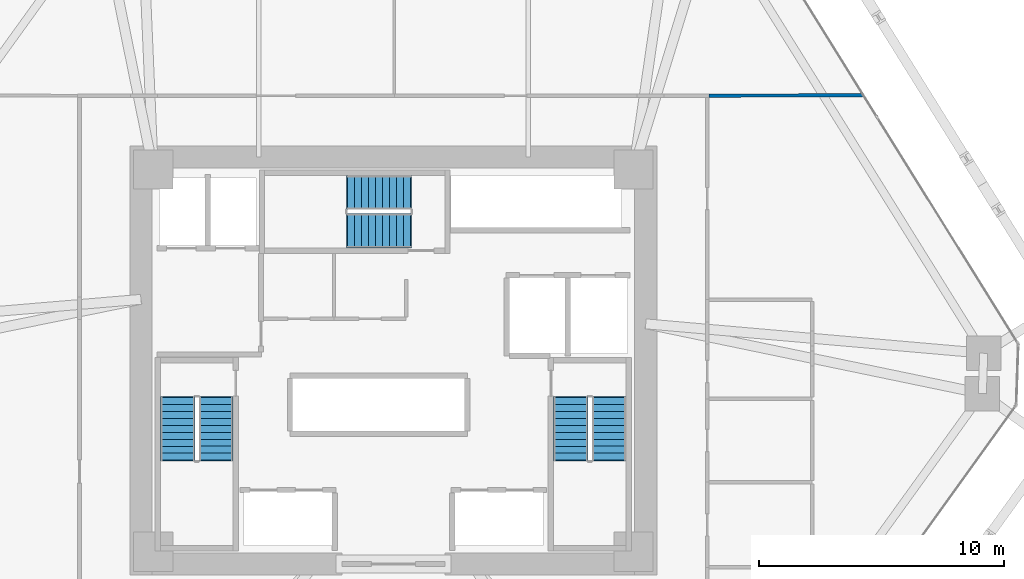
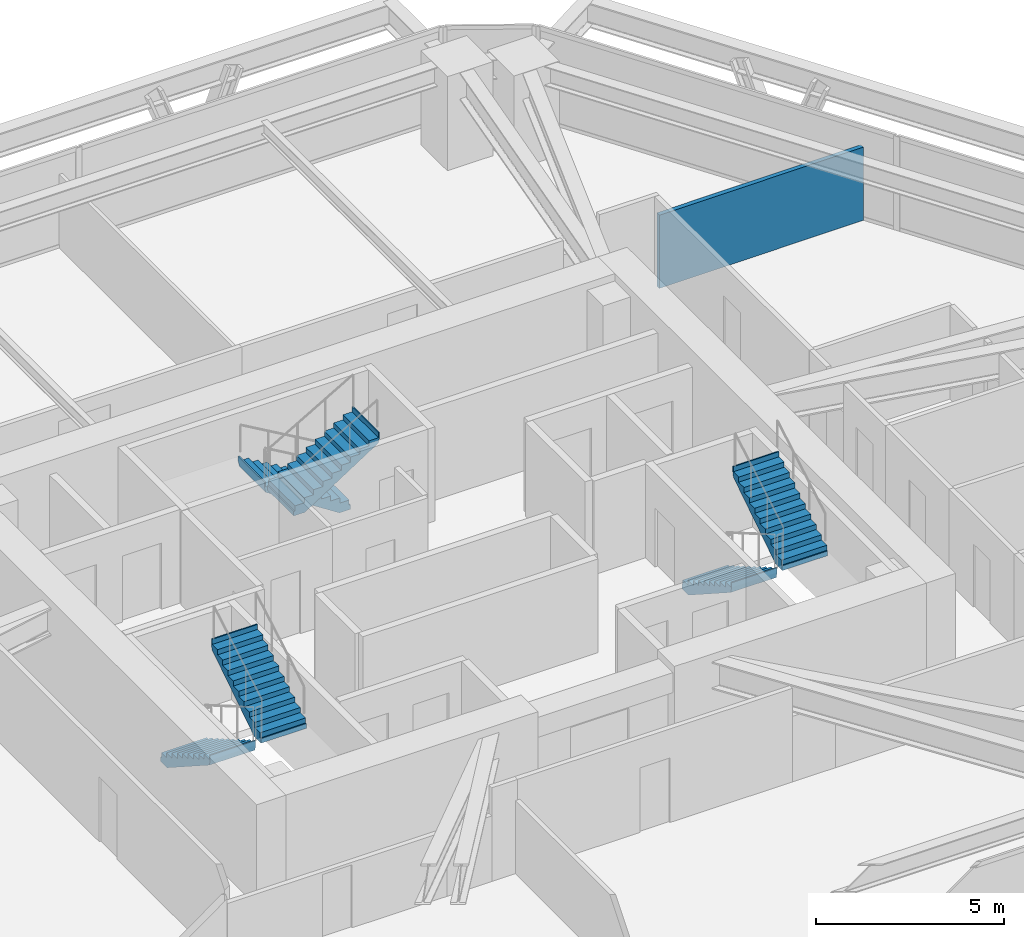
# One storey, part 13 of 14: 6 stair flights, 1 wall, 3 elements without a shape of their own.
"""IFC4 building model written with IfcOpenShell, lengths in metres."""

import ifcopenshell
import ifcopenshell.guid

model = None  # the IFC model being written
_history = None  # IfcOwnerHistory: only IFC2X3 demands one
_inside = {}  # id of a spatial element -> (the spatial element, [elements in it])
_under = {}  # id of a project, library or spatial element -> (it, [spatial elements below it])
_declared = {}  # id of a project -> (the project, [libraries it declares])
_typed = {}  # id of a type object -> (the type object, [elements of that type])
_made_of = {}  # id of a material, layer set ... -> (it, [elements and type objects made of it])


def new_model(schema):
    """Start an empty IFC model of exactly this schema.

    Asked for "IFC4X3", IfcOpenShell would pick the latest addendum, in which some entities
    have other attributes; the version numbers below select the first issue.
    IFC2X3 requires an IfcOwnerHistory on every rooted entity: one is made here for all.
    """
    global model, _history
    if schema == "IFC4X3":
        model = ifcopenshell.file(schema_version=(4, 3, 0, 0))
    else:
        model = ifcopenshell.file(schema=schema)
    _inside.clear()
    _under.clear()
    _declared.clear()
    _typed.clear()
    _made_of.clear()
    _history = None
    if model.schema == "IFC2X3":
        org = make("IfcOrganization", Name="unknown")
        user = make(
            "IfcPersonAndOrganization",
            ThePerson=make("IfcPerson", FamilyName="unknown"),
            TheOrganization=org,
        )
        app = make(
            "IfcApplication",
            ApplicationDeveloper=org,
            Version="unknown",
            ApplicationFullName="unknown",
            ApplicationIdentifier="unknown",
        )
        _history = make(
            "IfcOwnerHistory",
            OwningUser=user,
            OwningApplication=app,
            ChangeAction="ADDED",
            CreationDate=0,
        )
    return model


def make(cls, **values):
    """One entity of the class cls with the attributes given. An attribute that is None is left unset."""
    return model.create_entity(
        cls, **{name: value for name, value in values.items() if value is not None}
    )


def rooted(cls, **values):
    """An entity with a GlobalId (a new one), such as an element, a storey or a relation."""
    return make(cls, GlobalId=ifcopenshell.guid.new(), OwnerHistory=_history, **values)


def si_unit(unit_type, name, prefix=None):
    """IfcSIUnit, for example si_unit("LENGTHUNIT", "METRE", prefix="MILLI")."""
    return make("IfcSIUnit", UnitType=unit_type, Prefix=prefix, Name=name)


def assignment(units):
    """IfcUnitAssignment: the units of a project."""
    return None if units is None else make("IfcUnitAssignment", Units=units)


def point(xyz):
    """IfcCartesianPoint."""
    return None if xyz is None else make("IfcCartesianPoint", Coordinates=xyz)


def direction(xyz):
    """IfcDirection."""
    return None if xyz is None else make("IfcDirection", DirectionRatios=xyz)


def frame(location, z_axis=None, x_axis=None):
    """IfcAxis2Placement3D, a coordinate frame: its origin and axes. An axis left out is left unset."""
    return make(
        "IfcAxis2Placement3D",
        Location=point(location),
        Axis=direction(z_axis),
        RefDirection=direction(x_axis),
    )


def frame_2d(location, x_axis=None):
    """IfcAxis2Placement2D, a coordinate frame in the plane: its origin and x axis."""
    return make(
        "IfcAxis2Placement2D", Location=point(location), RefDirection=direction(x_axis)
    )


def origin():
    """The frame at (0, 0, 0) with its axes left unset."""
    return frame((0.0, 0.0, 0.0))


def place(relative_to, where):
    """IfcLocalPlacement: puts the frame where relative to a parent placement (None: the world)."""
    return make(
        "IfcLocalPlacement", PlacementRelTo=relative_to, RelativePlacement=where
    )


def context(
    kind, dimensions, precision=None, world=None, true_north=None, identifier=None
):
    """IfcGeometricRepresentationContext, for example the 3D "Model" context."""
    return make(
        "IfcGeometricRepresentationContext",
        ContextIdentifier=identifier,
        ContextType=kind,
        CoordinateSpaceDimension=dimensions,
        Precision=precision,
        WorldCoordinateSystem=world,
        TrueNorth=true_north,
    )


def subcontext(parent, identifier, kind, view, scale=None):
    """IfcGeometricRepresentationSubContext, for example "Body" below "Model"."""
    return make(
        "IfcGeometricRepresentationSubContext",
        ContextIdentifier=identifier,
        ContextType=kind,
        ParentContext=parent,
        TargetScale=scale,
        TargetView=view,
    )


def project(units=None, contexts=None):
    """IfcProject with its units and contexts."""
    return rooted(
        "IfcProject",
        Name="project",
        RepresentationContexts=contexts,
        UnitsInContext=assignment(units),
    )


def spatial(cls, under=None, at=None, **own):
    """A site, building, storey or space (cls), placed at a placement, below another one or the project."""
    s = rooted(cls, ObjectPlacement=at, **own)
    if under is not None:
        _under.setdefault(under.id(), (under, []))[1].append(s)
    return s


def polyline(points):
    """IfcPolyline through the points."""
    return make("IfcPolyline", Points=[point(p) for p in points])


def profile(cls, at=None, kind="AREA", **sizes):
    """A parametric profile (cls). Its sizes go by their IFC names, for example OverallWidth=200.0."""
    return make(cls, ProfileType=kind, Position=at, **sizes)


def rectangle(**sizes):
    """IfcRectangleProfileDef."""
    return profile("IfcRectangleProfileDef", **sizes)


def outline(outer, holes=None, kind="AREA"):
    """IfcArbitraryClosedProfileDef: a profile drawn as a closed curve; with holes, ...WithVoids."""
    if holes is None:
        return make("IfcArbitraryClosedProfileDef", ProfileType=kind, OuterCurve=outer)
    return make(
        "IfcArbitraryProfileDefWithVoids",
        ProfileType=kind,
        OuterCurve=outer,
        InnerCurves=holes,
    )


def extrude(swept, where, along, depth):
    """IfcExtrudedAreaSolid: the profile swept, set in the frame where, extruded along a direction by depth."""
    return make(
        "IfcExtrudedAreaSolid",
        SweptArea=swept,
        Position=where,
        ExtrudedDirection=direction(along),
        Depth=depth,
    )


def shape(context_of_items, identifier, shape_type, items):
    """IfcShapeRepresentation: the items that make up one representation, for example the "Body"."""
    return make(
        "IfcShapeRepresentation",
        ContextOfItems=context_of_items,
        RepresentationIdentifier=identifier,
        RepresentationType=shape_type,
        Items=items,
    )


def material(Name=None, Category=None):
    """IfcMaterial."""
    return make("IfcMaterial", Name=Name, Category=Category)


def layer(
    of_material, thickness, ventilated=None, Name=None, Category=None, Priority=None
):
    """IfcMaterialLayer: one layer of a wall or slab, of a material (None: an air gap)."""
    return make(
        "IfcMaterialLayer",
        Material=of_material,
        LayerThickness=thickness,
        IsVentilated=ventilated,
        Name=Name,
        Category=Category,
        Priority=Priority,
    )


def layer_set(layers, Name=None):
    """IfcMaterialLayerSet."""
    return make("IfcMaterialLayerSet", MaterialLayers=layers, LayerSetName=Name)


def made_of(thing, what):
    """Note that an element or type object is made of a material, layer set ...; save() writes the relation."""
    if what is not None:
        _made_of.setdefault(what.id(), (what, []))[1].append(thing)
    return thing


def type_object(cls, material=None, **own):
    """A type object (cls), such as IfcWallType, which elements share."""
    return made_of(rooted(cls, **own), material)


def element(
    cls,
    number,
    at=None,
    inside=None,
    cuts=None,
    type_object=None,
    material=None,
    context=None,
    identifier="Body",
    shape_type=None,
    held_by="IfcProductDefinitionShape",
    body=None,
    shapes=None,
    **own,
):
    """One element of the class cls, such as IfcWall. Its Tag is "e" and its number.

    at: its placement. inside: the storey or other place that contains it. cuts: it is an
    opening in that element (IfcRelVoidsElement). A single representation is given by context,
    identifier, shape_type and body (its items); several are given by shapes. held_by: the class
    of the entity that holds the representations. save() writes the other relations.
    """
    e = rooted(cls, Tag="e%d" % number, ObjectPlacement=at, **own)
    if body is not None:
        shapes = [shape(context, identifier, shape_type, body)]
    if shapes is not None:
        e.Representation = make(held_by, Representations=shapes)
    if inside is not None:
        _inside.setdefault(inside.id(), (inside, []))[1].append(e)
    if cuts is not None:
        rooted(
            "IfcRelVoidsElement", RelatingBuildingElement=cuts, RelatedOpeningElement=e
        )
    if type_object is not None:
        _typed.setdefault(type_object.id(), (type_object, []))[1].append(e)
    return made_of(e, material)


def aggregate(whole, parts):
    """IfcRelAggregates: a whole, such as a stair, and the parts it consists of."""
    return rooted("IfcRelAggregates", RelatingObject=whole, RelatedObjects=parts)


def save(model, path):
    """Write the relations noted so far, then the file.

    IfcRelAggregates (storeys below a building ...), IfcRelContainedInSpatialStructure (elements
    in a storey), IfcRelDefinesByType, IfcRelAssociatesMaterial and IfcRelDeclares: one each for
    every whole, place, type object, material and project.
    """
    for whole, parts in _under.values():
        aggregate(whole, parts)
    for where, things in _inside.values():
        rooted(
            "IfcRelContainedInSpatialStructure",
            RelatedElements=things,
            RelatingStructure=where,
        )
    for kind, things in _typed.values():
        rooted("IfcRelDefinesByType", RelatedObjects=things, RelatingType=kind)
    for what, things in _made_of.values():
        rooted("IfcRelAssociatesMaterial", RelatedObjects=things, RelatingMaterial=what)
    for by, libraries in _declared.values():
        rooted("IfcRelDeclares", RelatingContext=by, RelatedDefinitions=libraries)
    model.write(path)


model = new_model("IFC4")

# Units and contexts
model_context = context("Model", 3, precision=1e-05, world=origin(), true_north=direction((0.0, 1.0)))
body_context = subcontext(model_context, "Body", "Model", "MODEL_VIEW")
ifc_project = project(units=[si_unit("LENGTHUNIT", "METRE"), si_unit("AREAUNIT", "SQUARE_METRE"), si_unit("VOLUMEUNIT", "CUBIC_METRE"), si_unit("PLANEANGLEUNIT", "RADIAN"), si_unit("MASSUNIT", "GRAM", prefix="KILO")], contexts=[model_context])

# Site, building, storey
site_placement = place(None, origin())
site = spatial("IfcSite", under=ifc_project, at=site_placement, CompositionType="ELEMENT")
building_placement = place(site_placement, origin())
building = spatial("IfcBuilding", under=site, at=building_placement, Name="Durnholm Broadcast Tower", CompositionType="ELEMENT")
storey_placement = place(building_placement, frame((0.0, 0.0, 35.699951171875)))
storey = spatial("IfcBuildingStorey", under=building, at=storey_placement, Name="L07", CompositionType="ELEMENT", Elevation=35.699951171875)

# Wall
ifc_material_1 = material(Name="Gypsum Metal Stud Partition", Category="concrete")
ifc_layer = layer(ifc_material_1, 0.135009765625)
ifc_layer_set = layer_set([ifc_layer], Name="Gypsum Metal Stud Partition")
wall_type = type_object("IfcWallType", Name="WALL-PART-135", PredefinedType="PARTITIONING", material=ifc_layer_set)
wall_placement = place(storey_placement, frame((19.18212890625, 10.831298828125, 0.0), z_axis=(0.0, 0.0, 1.0), x_axis=(-0.999994432845, -0.003336806783, 0.0)))
element("IfcWall", 1, at=wall_placement, inside=storey, type_object=wall_type, Name="L07 room dividing partition 7.11", PredefinedType="PARTITIONING", context=body_context, shape_type="SweptSolid", body=[
    extrude(rectangle(XDim=6.292236328125, YDim=0.135009765625, at=frame_2d((3.14599609375, 0.0))), origin(), (0.0, 0.0, 1.0), 2.380126953125),
])

# Stair, stair flights
ifc_material_2 = material(Name="Concrete C50/60", Category="concrete")
stair_type = type_object("IfcStairType", Name="STAIR-DL-20R1650", PredefinedType="HALF_TURN_STAIR", material=ifc_material_2)
stair_1_placement = place(storey_placement, origin())
stair_1 = element("IfcStair", 2, at=stair_1_placement, inside=storey, type_object=stair_type, Name="L07 ST-1", PredefinedType="HALF_TURN_STAIR")
stair_flight_type = type_object("IfcStairFlightType", Name="FLIGHT-DL-20R1650", PredefinedType="STRAIGHT", material=ifc_material_2)
stair_flight_1_placement = place(storey_placement, frame((-8.800048828125, -1.5, 0.0), z_axis=(0.0, 0.0, 1.0), x_axis=(0.0, -1.0, 0.0)))
stair_flight_1 = element("IfcStairFlight", 3, at=stair_flight_1_placement, type_object=stair_flight_type, Name="ST-1 flight 1", NumberOfRisers=10, NumberOfTreads=9, PredefinedType="STRAIGHT", RiserHeight=0.165, TreadLength=0.285, context=body_context, shape_type="SweptSolid", body=[
    extrude(outline(polyline([(-0.0400390625, -0.14990234375), (-0.0400390625, 0.0), (0.0, 0.0), (0.0, 0.1650390625), (0.284912109375, 0.1650390625), (0.284912109375, 0.330078125), (0.570068359375, 0.330078125), (0.570068359375, 0.4951171875), (0.85498046875, 0.4951171875), (0.85498046875, 0.659912109375), (1.139892578125, 0.659912109375), (1.139892578125, 0.824951171875), (1.425048828125, 0.824951171875), (1.425048828125, 0.989990234375), (1.7099609375, 0.989990234375), (1.7099609375, 1.155029296875), (1.9951171875, 1.155029296875), (1.9951171875, 1.320068359375), (2.280029296875, 1.320068359375), (2.280029296875, 1.485107421875), (2.56494140625, 1.485107421875), (2.56494140625, 1.64990234375), (2.60498046875, 1.64990234375), (2.60498046875, 1.5), (2.56494140625, 1.311767578125), (0.299072265625, -0.14990234375), (-0.0400390625, -0.14990234375)])), frame((0.0, 0.699951171875, 0.0), z_axis=(0.0, -1.0, 0.0), x_axis=(1.0, 0.0, 0.0)), (0.0, 0.0, 1.0), 1.39990234375),
])
stair_flight_2_placement = place(storey_placement, frame((-7.239990234375, -4.06494140625, 1.650146484375), z_axis=(0.0, 0.0, 1.0), x_axis=(0.0, 1.0, 0.0)))
stair_flight_2 = element("IfcStairFlight", 4, at=stair_flight_2_placement, type_object=stair_flight_type, Name="ST-1 flight 2", NumberOfRisers=10, NumberOfTreads=9, PredefinedType="STRAIGHT", RiserHeight=0.165, TreadLength=0.285, context=body_context, shape_type="SweptSolid", body=[
    extrude(outline(polyline([(-0.0400390625, -0.14990234375), (-0.0400390625, 0.0), (0.0, 0.0), (0.0, 0.1650390625), (0.284912109375, 0.1650390625), (0.284912109375, 0.330078125), (0.570068359375, 0.330078125), (0.570068359375, 0.4951171875), (0.85498046875, 0.4951171875), (0.85498046875, 0.659912109375), (1.139892578125, 0.659912109375), (1.139892578125, 0.824951171875), (1.425048828125, 0.824951171875), (1.425048828125, 0.989990234375), (1.7099609375, 0.989990234375), (1.7099609375, 1.155029296875), (1.9951171875, 1.155029296875), (1.9951171875, 1.320068359375), (2.280029296875, 1.320068359375), (2.280029296875, 1.485107421875), (2.56494140625, 1.485107421875), (2.56494140625, 1.64990234375), (2.60498046875, 1.64990234375), (2.60498046875, 1.5), (2.56494140625, 1.311767578125), (0.299072265625, -0.14990234375), (-0.0400390625, -0.14990234375)])), frame((0.0, 0.699951171875, 0.0), z_axis=(0.0, -1.0, 0.0), x_axis=(1.0, 0.0, 0.0)), (0.0, 0.0, 1.0), 1.39990234375),
])
aggregate(stair_1, [stair_flight_1, stair_flight_2])

stair_2_placement = place(storey_placement, origin())
stair_2 = element("IfcStair", 5, at=stair_2_placement, inside=storey, type_object=stair_type, Name="L07 ST-2", PredefinedType="HALF_TURN_STAIR")
stair_flight_3_placement = place(storey_placement, frame((7.239990234375, -1.5, 0.0), z_axis=(0.0, 0.0, 1.0), x_axis=(0.0, -1.0, 0.0)))
stair_flight_3 = element("IfcStairFlight", 6, at=stair_flight_3_placement, type_object=stair_flight_type, Name="ST-2 flight 1", NumberOfRisers=10, NumberOfTreads=9, PredefinedType="STRAIGHT", RiserHeight=0.165, TreadLength=0.285, context=body_context, shape_type="SweptSolid", body=[
    extrude(outline(polyline([(-0.0400390625, -0.14990234375), (-0.0400390625, 0.0), (0.0, 0.0), (0.0, 0.1650390625), (0.284912109375, 0.1650390625), (0.284912109375, 0.330078125), (0.570068359375, 0.330078125), (0.570068359375, 0.4951171875), (0.85498046875, 0.4951171875), (0.85498046875, 0.659912109375), (1.139892578125, 0.659912109375), (1.139892578125, 0.824951171875), (1.425048828125, 0.824951171875), (1.425048828125, 0.989990234375), (1.7099609375, 0.989990234375), (1.7099609375, 1.155029296875), (1.9951171875, 1.155029296875), (1.9951171875, 1.320068359375), (2.280029296875, 1.320068359375), (2.280029296875, 1.485107421875), (2.56494140625, 1.485107421875), (2.56494140625, 1.64990234375), (2.60498046875, 1.64990234375), (2.60498046875, 1.5), (2.56494140625, 1.311767578125), (0.299072265625, -0.14990234375), (-0.0400390625, -0.14990234375)])), frame((0.0, 0.699951171875, 0.0), z_axis=(0.0, -1.0, 0.0), x_axis=(1.0, 0.0, 0.0)), (0.0, 0.0, 1.0), 1.39990234375),
])
stair_flight_4_placement = place(storey_placement, frame((8.800048828125, -4.06494140625, 1.650146484375), z_axis=(0.0, 0.0, 1.0), x_axis=(0.0, 1.0, 0.0)))
stair_flight_4 = element("IfcStairFlight", 7, at=stair_flight_4_placement, type_object=stair_flight_type, Name="ST-2 flight 2", NumberOfRisers=10, NumberOfTreads=9, PredefinedType="STRAIGHT", RiserHeight=0.165, TreadLength=0.285, context=body_context, shape_type="SweptSolid", body=[
    extrude(outline(polyline([(-0.0400390625, -0.14990234375), (-0.0400390625, 0.0), (0.0, 0.0), (0.0, 0.1650390625), (0.284912109375, 0.1650390625), (0.284912109375, 0.330078125), (0.570068359375, 0.330078125), (0.570068359375, 0.4951171875), (0.85498046875, 0.4951171875), (0.85498046875, 0.659912109375), (1.139892578125, 0.659912109375), (1.139892578125, 0.824951171875), (1.425048828125, 0.824951171875), (1.425048828125, 0.989990234375), (1.7099609375, 0.989990234375), (1.7099609375, 1.155029296875), (1.9951171875, 1.155029296875), (1.9951171875, 1.320068359375), (2.280029296875, 1.320068359375), (2.280029296875, 1.485107421875), (2.56494140625, 1.485107421875), (2.56494140625, 1.64990234375), (2.60498046875, 1.64990234375), (2.60498046875, 1.5), (2.56494140625, 1.311767578125), (0.299072265625, -0.14990234375), (-0.0400390625, -0.14990234375)])), frame((0.0, 0.699951171875, 0.0), z_axis=(0.0, -1.0, 0.0), x_axis=(1.0, 0.0, 0.0)), (0.0, 0.0, 1.0), 1.39990234375),
])
aggregate(stair_2, [stair_flight_3, stair_flight_4])

stair_3_placement = place(storey_placement, origin())
stair_3 = element("IfcStair", 8, at=stair_3_placement, inside=storey, type_object=stair_type, Name="L07 ST-3", PredefinedType="HALF_TURN_STAIR")
stair_flight_5_placement = place(storey_placement, frame((0.699951171875, 6.860107421875, 0.0), z_axis=(0.0, 0.0, 1.0), x_axis=(-1.0, 0.0, 0.0)))
stair_flight_5 = element("IfcStairFlight", 9, at=stair_flight_5_placement, type_object=stair_flight_type, Name="ST-3 flight 1", NumberOfRisers=10, NumberOfTreads=9, PredefinedType="STRAIGHT", RiserHeight=0.165, TreadLength=0.285, context=body_context, shape_type="SweptSolid", body=[
    extrude(outline(polyline([(-0.0400390625, -0.14990234375), (-0.0400390625, 0.0), (0.0, 0.0), (0.0, 0.1650390625), (0.284912109375, 0.1650390625), (0.284912109375, 0.330078125), (0.570068359375, 0.330078125), (0.570068359375, 0.4951171875), (0.85498046875, 0.4951171875), (0.85498046875, 0.659912109375), (1.139892578125, 0.659912109375), (1.139892578125, 0.824951171875), (1.425048828125, 0.824951171875), (1.425048828125, 0.989990234375), (1.7099609375, 0.989990234375), (1.7099609375, 1.155029296875), (1.9951171875, 1.155029296875), (1.9951171875, 1.320068359375), (2.280029296875, 1.320068359375), (2.280029296875, 1.485107421875), (2.56494140625, 1.485107421875), (2.56494140625, 1.64990234375), (2.60498046875, 1.64990234375), (2.60498046875, 1.5), (2.56494140625, 1.311767578125), (0.299072265625, -0.14990234375), (-0.0400390625, -0.14990234375)])), frame((0.0, 0.699951171875, 0.0), z_axis=(0.0, -1.0, 0.0), x_axis=(1.0, 0.0, 0.0)), (0.0, 0.0, 1.0), 1.39990234375),
])
stair_flight_6_placement = place(storey_placement, frame((-1.864990234375, 5.300048828125, 1.650146484375), z_axis=(0.0, 0.0, 1.0), x_axis=(1.0, 0.0, 0.0)))
stair_flight_6 = element("IfcStairFlight", 10, at=stair_flight_6_placement, type_object=stair_flight_type, Name="ST-3 flight 2", NumberOfRisers=10, NumberOfTreads=9, PredefinedType="STRAIGHT", RiserHeight=0.165, TreadLength=0.285, context=body_context, shape_type="SweptSolid", body=[
    extrude(outline(polyline([(-0.0400390625, -0.14990234375), (-0.0400390625, 0.0), (0.0, 0.0), (0.0, 0.1650390625), (0.284912109375, 0.1650390625), (0.284912109375, 0.330078125), (0.570068359375, 0.330078125), (0.570068359375, 0.4951171875), (0.85498046875, 0.4951171875), (0.85498046875, 0.659912109375), (1.139892578125, 0.659912109375), (1.139892578125, 0.824951171875), (1.425048828125, 0.824951171875), (1.425048828125, 0.989990234375), (1.7099609375, 0.989990234375), (1.7099609375, 1.155029296875), (1.9951171875, 1.155029296875), (1.9951171875, 1.320068359375), (2.280029296875, 1.320068359375), (2.280029296875, 1.485107421875), (2.56494140625, 1.485107421875), (2.56494140625, 1.64990234375), (2.60498046875, 1.64990234375), (2.60498046875, 1.5), (2.56494140625, 1.311767578125), (0.299072265625, -0.14990234375), (-0.0400390625, -0.14990234375)])), frame((0.0, 0.699951171875, 0.0), z_axis=(0.0, -1.0, 0.0), x_axis=(1.0, 0.0, 0.0)), (0.0, 0.0, 1.0), 1.39990234375),
])
aggregate(stair_3, [stair_flight_5, stair_flight_6])

save(model, "model.ifc")
